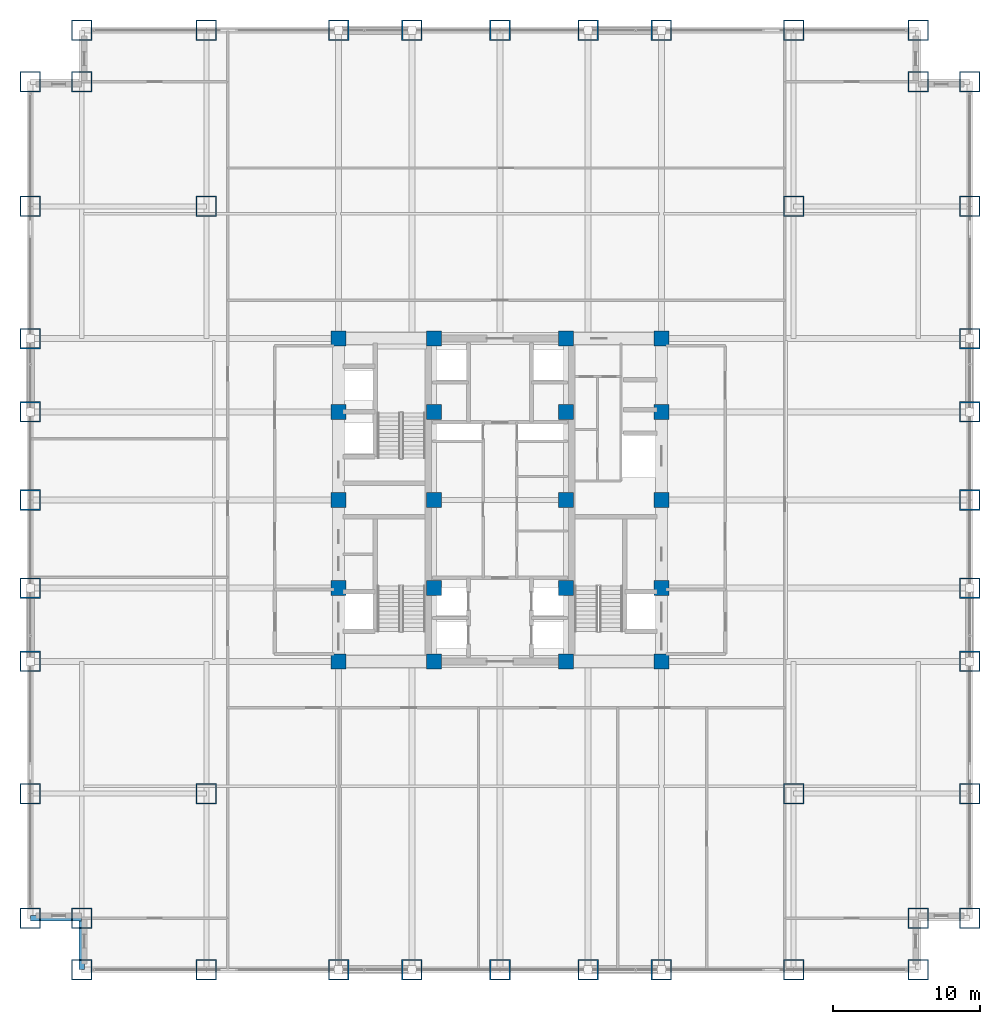
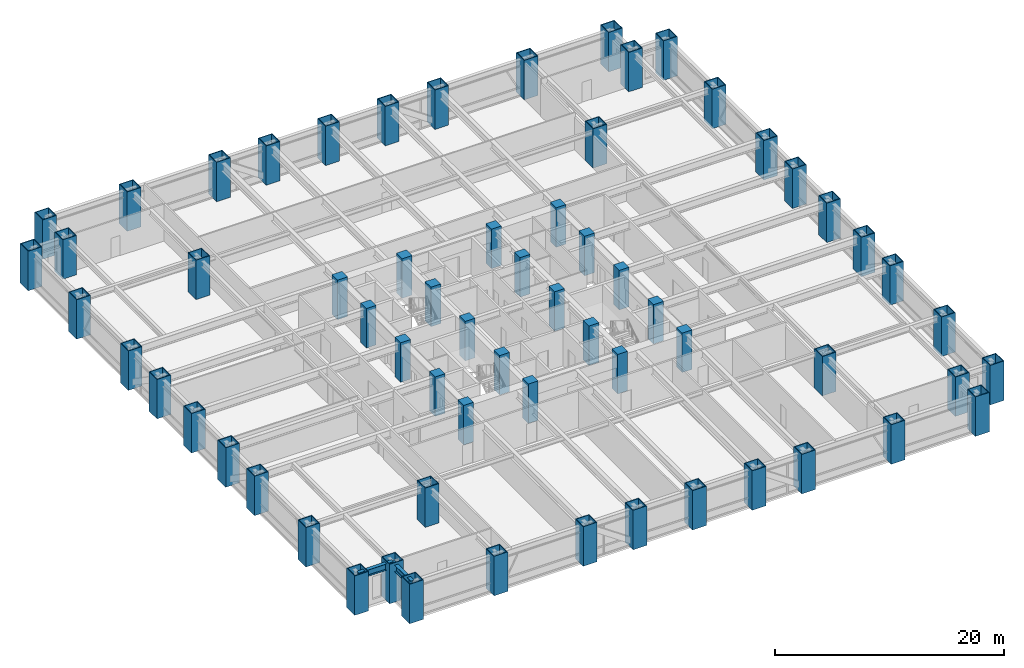
# One storey, part 1 of 27: 64 columns, 2 beams.
"""IFC4 building model written with IfcOpenShell, lengths in metres."""

import ifcopenshell
import ifcopenshell.guid

model = None  # the IFC model being written
_history = None  # IfcOwnerHistory: only IFC2X3 demands one
_inside = {}  # id of a spatial element -> (the spatial element, [elements in it])
_under = {}  # id of a project, library or spatial element -> (it, [spatial elements below it])
_declared = {}  # id of a project -> (the project, [libraries it declares])
_typed = {}  # id of a type object -> (the type object, [elements of that type])
_made_of = {}  # id of a material, layer set ... -> (it, [elements and type objects made of it])


def new_model(schema):
    """Start an empty IFC model of exactly this schema.

    Asked for "IFC4X3", IfcOpenShell would pick the latest addendum, in which some entities
    have other attributes; the version numbers below select the first issue.
    IFC2X3 requires an IfcOwnerHistory on every rooted entity: one is made here for all.
    """
    global model, _history
    if schema == "IFC4X3":
        model = ifcopenshell.file(schema_version=(4, 3, 0, 0))
    else:
        model = ifcopenshell.file(schema=schema)
    _inside.clear()
    _under.clear()
    _declared.clear()
    _typed.clear()
    _made_of.clear()
    _history = None
    if model.schema == "IFC2X3":
        org = make("IfcOrganization", Name="unknown")
        user = make(
            "IfcPersonAndOrganization",
            ThePerson=make("IfcPerson", FamilyName="unknown"),
            TheOrganization=org,
        )
        app = make(
            "IfcApplication",
            ApplicationDeveloper=org,
            Version="unknown",
            ApplicationFullName="unknown",
            ApplicationIdentifier="unknown",
        )
        _history = make(
            "IfcOwnerHistory",
            OwningUser=user,
            OwningApplication=app,
            ChangeAction="ADDED",
            CreationDate=0,
        )
    return model


def make(cls, **values):
    """One entity of the class cls with the attributes given. An attribute that is None is left unset."""
    return model.create_entity(
        cls, **{name: value for name, value in values.items() if value is not None}
    )


def rooted(cls, **values):
    """An entity with a GlobalId (a new one), such as an element, a storey or a relation."""
    return make(cls, GlobalId=ifcopenshell.guid.new(), OwnerHistory=_history, **values)


def si_unit(unit_type, name, prefix=None):
    """IfcSIUnit, for example si_unit("LENGTHUNIT", "METRE", prefix="MILLI")."""
    return make("IfcSIUnit", UnitType=unit_type, Prefix=prefix, Name=name)


def assignment(units):
    """IfcUnitAssignment: the units of a project."""
    return None if units is None else make("IfcUnitAssignment", Units=units)


def point(xyz):
    """IfcCartesianPoint."""
    return None if xyz is None else make("IfcCartesianPoint", Coordinates=xyz)


def direction(xyz):
    """IfcDirection."""
    return None if xyz is None else make("IfcDirection", DirectionRatios=xyz)


def frame(location, z_axis=None, x_axis=None):
    """IfcAxis2Placement3D, a coordinate frame: its origin and axes. An axis left out is left unset."""
    return make(
        "IfcAxis2Placement3D",
        Location=point(location),
        Axis=direction(z_axis),
        RefDirection=direction(x_axis),
    )


def frame_2d(location, x_axis=None):
    """IfcAxis2Placement2D, a coordinate frame in the plane: its origin and x axis."""
    return make(
        "IfcAxis2Placement2D", Location=point(location), RefDirection=direction(x_axis)
    )


def origin():
    """The frame at (0, 0, 0) with its axes left unset."""
    return frame((0.0, 0.0, 0.0))


def origin_2d():
    """The frame at (0, 0) in the plane with its x axis left unset."""
    return frame_2d((0.0, 0.0))


def place(relative_to, where):
    """IfcLocalPlacement: puts the frame where relative to a parent placement (None: the world)."""
    return make(
        "IfcLocalPlacement", PlacementRelTo=relative_to, RelativePlacement=where
    )


def context(
    kind, dimensions, precision=None, world=None, true_north=None, identifier=None
):
    """IfcGeometricRepresentationContext, for example the 3D "Model" context."""
    return make(
        "IfcGeometricRepresentationContext",
        ContextIdentifier=identifier,
        ContextType=kind,
        CoordinateSpaceDimension=dimensions,
        Precision=precision,
        WorldCoordinateSystem=world,
        TrueNorth=true_north,
    )


def subcontext(parent, identifier, kind, view, scale=None):
    """IfcGeometricRepresentationSubContext, for example "Body" below "Model"."""
    return make(
        "IfcGeometricRepresentationSubContext",
        ContextIdentifier=identifier,
        ContextType=kind,
        ParentContext=parent,
        TargetScale=scale,
        TargetView=view,
    )


def project(units=None, contexts=None):
    """IfcProject with its units and contexts."""
    return rooted(
        "IfcProject",
        Name="project",
        RepresentationContexts=contexts,
        UnitsInContext=assignment(units),
    )


def spatial(cls, under=None, at=None, **own):
    """A site, building, storey or space (cls), placed at a placement, below another one or the project."""
    s = rooted(cls, ObjectPlacement=at, **own)
    if under is not None:
        _under.setdefault(under.id(), (under, []))[1].append(s)
    return s


def profile(cls, at=None, kind="AREA", **sizes):
    """A parametric profile (cls). Its sizes go by their IFC names, for example OverallWidth=200.0."""
    return make(cls, ProfileType=kind, Position=at, **sizes)


def rectangle(**sizes):
    """IfcRectangleProfileDef."""
    return profile("IfcRectangleProfileDef", **sizes)


def hollow_rectangle(**sizes):
    """IfcRectangleHollowProfileDef."""
    return profile("IfcRectangleHollowProfileDef", **sizes)


def i_section(**sizes):
    """IfcIShapeProfileDef."""
    return profile("IfcIShapeProfileDef", **sizes)


def extrude(swept, where, along, depth):
    """IfcExtrudedAreaSolid: the profile swept, set in the frame where, extruded along a direction by depth."""
    return make(
        "IfcExtrudedAreaSolid",
        SweptArea=swept,
        Position=where,
        ExtrudedDirection=direction(along),
        Depth=depth,
    )


def shape(context_of_items, identifier, shape_type, items):
    """IfcShapeRepresentation: the items that make up one representation, for example the "Body"."""
    return make(
        "IfcShapeRepresentation",
        ContextOfItems=context_of_items,
        RepresentationIdentifier=identifier,
        RepresentationType=shape_type,
        Items=items,
    )


def source(mapping_origin, context_of_items, identifier, shape_type, items):
    """IfcRepresentationMap: a shape defined once, which mapped items show again and again."""
    return make(
        "IfcRepresentationMap",
        MappingOrigin=mapping_origin,
        MappedRepresentation=shape(context_of_items, identifier, shape_type, items),
    )


def transform(
    local_origin,
    x_axis=None,
    y_axis=None,
    z_axis=None,
    scale=None,
    scale2=None,
    scale3=None,
    uniform=True,
):
    """IfcCartesianTransformationOperator3D, or its non-uniform kind. x_axis, y_axis, z_axis: its Axis1, 2, 3."""
    if uniform:
        return make(
            "IfcCartesianTransformationOperator3D",
            Axis1=direction(x_axis),
            Axis2=direction(y_axis),
            LocalOrigin=point(local_origin),
            Scale=scale,
            Axis3=direction(z_axis),
        )
    return make(
        "IfcCartesianTransformationOperator3DnonUniform",
        Axis1=direction(x_axis),
        Axis2=direction(y_axis),
        LocalOrigin=point(local_origin),
        Scale=scale,
        Axis3=direction(z_axis),
        Scale2=scale2,
        Scale3=scale3,
    )


def mapped(mapping_source, mapping_target):
    """IfcMappedItem: shows the shape of a source again, moved by a transform."""
    return make(
        "IfcMappedItem", MappingSource=mapping_source, MappingTarget=mapping_target
    )


def material(Name=None, Category=None):
    """IfcMaterial."""
    return make("IfcMaterial", Name=Name, Category=Category)


def material_profile(
    of_material, cross_section, Name=None, Category=None, Priority=None
):
    """IfcMaterialProfile: a cross section and its material."""
    return make(
        "IfcMaterialProfile",
        Name=Name,
        Material=of_material,
        Profile=cross_section,
        Priority=Priority,
        Category=Category,
    )


def profile_set(profiles, Name=None, composite=None):
    """IfcMaterialProfileSet."""
    return make(
        "IfcMaterialProfileSet",
        Name=Name,
        MaterialProfiles=profiles,
        CompositeProfile=composite,
    )


def made_of(thing, what):
    """Note that an element or type object is made of a material, layer set ...; save() writes the relation."""
    if what is not None:
        _made_of.setdefault(what.id(), (what, []))[1].append(thing)
    return thing


def type_object(cls, material=None, **own):
    """A type object (cls), such as IfcWallType, which elements share."""
    return made_of(rooted(cls, **own), material)


def element(
    cls,
    number,
    at=None,
    inside=None,
    cuts=None,
    type_object=None,
    material=None,
    context=None,
    identifier="Body",
    shape_type=None,
    held_by="IfcProductDefinitionShape",
    body=None,
    shapes=None,
    **own,
):
    """One element of the class cls, such as IfcWall. Its Tag is "e" and its number.

    at: its placement. inside: the storey or other place that contains it. cuts: it is an
    opening in that element (IfcRelVoidsElement). A single representation is given by context,
    identifier, shape_type and body (its items); several are given by shapes. held_by: the class
    of the entity that holds the representations. save() writes the other relations.
    """
    e = rooted(cls, Tag="e%d" % number, ObjectPlacement=at, **own)
    if body is not None:
        shapes = [shape(context, identifier, shape_type, body)]
    if shapes is not None:
        e.Representation = make(held_by, Representations=shapes)
    if inside is not None:
        _inside.setdefault(inside.id(), (inside, []))[1].append(e)
    if cuts is not None:
        rooted(
            "IfcRelVoidsElement", RelatingBuildingElement=cuts, RelatedOpeningElement=e
        )
    if type_object is not None:
        _typed.setdefault(type_object.id(), (type_object, []))[1].append(e)
    return made_of(e, material)


def aggregate(whole, parts):
    """IfcRelAggregates: a whole, such as a stair, and the parts it consists of."""
    return rooted("IfcRelAggregates", RelatingObject=whole, RelatedObjects=parts)


def save(model, path):
    """Write the relations noted so far, then the file.

    IfcRelAggregates (storeys below a building ...), IfcRelContainedInSpatialStructure (elements
    in a storey), IfcRelDefinesByType, IfcRelAssociatesMaterial and IfcRelDeclares: one each for
    every whole, place, type object, material and project.
    """
    for whole, parts in _under.values():
        aggregate(whole, parts)
    for where, things in _inside.values():
        rooted(
            "IfcRelContainedInSpatialStructure",
            RelatedElements=things,
            RelatingStructure=where,
        )
    for kind, things in _typed.values():
        rooted("IfcRelDefinesByType", RelatedObjects=things, RelatingType=kind)
    for what, things in _made_of.values():
        rooted("IfcRelAssociatesMaterial", RelatedObjects=things, RelatingMaterial=what)
    for by, libraries in _declared.values():
        rooted("IfcRelDeclares", RelatingContext=by, RelatedDefinitions=libraries)
    model.write(path)


model = new_model("IFC4")

# Units and contexts
model_context = context("Model", 3, precision=1e-05, world=origin(), true_north=direction((0.0, 1.0)))
body_context = subcontext(model_context, "Body", "Model", "MODEL_VIEW")
ifc_project = project(units=[si_unit("LENGTHUNIT", "METRE"), si_unit("AREAUNIT", "SQUARE_METRE"), si_unit("VOLUMEUNIT", "CUBIC_METRE"), si_unit("PLANEANGLEUNIT", "RADIAN"), si_unit("MASSUNIT", "GRAM", prefix="KILO")], contexts=[model_context])

# Site, building, storey
site_placement = place(None, origin())
site = spatial("IfcSite", under=ifc_project, at=site_placement, CompositionType="ELEMENT")
building_placement = place(site_placement, origin())
building = spatial("IfcBuilding", under=site, at=building_placement, Name="Khorayat Bourse Tower", CompositionType="ELEMENT")
storey_placement = place(building_placement, frame((0.0, 0.0, 49.39990234375)))
storey = spatial("IfcBuildingStorey", under=building, at=storey_placement, Name="L10", CompositionType="ELEMENT", Elevation=49.39990234375)

# Columns
ifc_material_1 = material(Name="Steel EN 10025-4 S460M", Category="steel")
ifc_material_profile_1 = material_profile(ifc_material_1, hollow_rectangle(XDim=1.39990234375, YDim=1.39990234375, WallThickness=0.074951171875, at=origin_2d()), Name="BOX 1400x1400x75")
ifc_profile_set_1 = profile_set([ifc_material_profile_1], Name="Steel EN 10025-4 S460M")
column_type_1 = type_object("IfcColumnType", Name="COL-TUBE-1400", PredefinedType="COLUMN", material=ifc_profile_set_1)
shared_shape_1 = source(origin(), body_context, "Body", "SweptSolid", [
    extrude(hollow_rectangle(XDim=1.39990234375, YDim=1.39990234375, WallThickness=0.074951171875, at=origin_2d()), origin(), (0.0, 0.0, 1.0), 4.2001953125),
])
for number, where, z_axis, x_axis, name in (
    (1, (-32.0, -28.5, 0.0), (0.0, 0.0, 1.0), (1.0, 0.0, 0.0), "L10 Column 001"),
    (2, (-32.0, -20.0, 0.0), (0.0, 0.0, 1.0), (1.0, 0.0, 0.0), "L10 Column 002"),
    (3, (-32.0, -11.0, 0.0), (0.0, 0.0, 1.0), (1.0, 0.0, 0.0), "L10 Column 003"),
    (4, (-32.0, -6.0, 0.0), (0.0, 0.0, 1.0), (1.0, 0.0, 0.0), "L10 Column 004"),
    (5, (-32.0, 0.0, 0.0), (0.0, 0.0, 1.0), (1.0, 0.0, 0.0), "L10 Column 005"),
    (6, (-32.0, 6.0, 0.0), (0.0, 0.0, 1.0), (1.0, 0.0, 0.0), "L10 Column 006"),
    (7, (-32.0, 11.0, 0.0), (0.0, 0.0, 1.0), (1.0, 0.0, 0.0), "L10 Column 007"),
    (8, (-32.0, 20.0, 0.0), (0.0, 0.0, 1.0), (1.0, 0.0, 0.0), "L10 Column 008"),
    (9, (-32.0, 28.5, 0.0), (0.0, 0.0, 1.0), (1.0, 0.0, 0.0), "L10 Column 009"),
    (10, (-28.5, -32.0, 0.0), (0.0, 0.0, 1.0), (1.0, 0.0, 0.0), "L10 Column 010"),
    (11, (-28.5, -28.5, 0.0), (0.0, 0.0, 1.0), (1.0, 0.0, 0.0), "L10 Column 011"),
    (12, (-28.5, 28.5, 0.0), (0.0, 0.0, 1.0), (1.0, 0.0, 0.0), "L10 Column 012"),
    (13, (-28.5, 32.0, 0.0), (0.0, 0.0, 1.0), (1.0, 0.0, 0.0), "L10 Column 013"),
    (14, (-20.0, -32.0, 0.0), (0.0, 0.0, 1.0), (1.0, 0.0, 0.0), "L10 Column 014"),
    (15, (-20.0, -20.0, 0.0), (0.0, 0.0, 1.0), (1.0, 0.0, 0.0), "L10 Column 015"),
    (16, (-20.0, 20.0, 0.0), (0.0, 0.0, 1.0), (1.0, 0.0, 0.0), "L10 Column 016"),
    (17, (-20.0, 32.0, 0.0), (0.0, 0.0, 1.0), (1.0, 0.0, 0.0), "L10 Column 017"),
    (18, (-11.0, -32.0, 0.0), (0.0, 0.0, 1.0), (1.0, 0.0, 0.0), "L10 Column 018"),
    (19, (-11.0, 32.0, 0.0), (0.0, 0.0, 1.0), (1.0, 0.0, 0.0), "L10 Column 024"),
    (20, (-6.0, -32.0, 0.0), (0.0, 0.0, 1.0), (1.0, 0.0, 0.0), "L10 Column 025"),
    (21, (-6.0, 32.0, 0.0), (0.0, 0.0, 1.0), (1.0, 0.0, 0.0), "L10 Column 026"),
    (22, (0.0, -32.0, 0.0), (0.0, 0.0, 1.0), (1.0, 0.0, 0.0), "L10 Column 032"),
    (23, (0.0, 32.0, 0.0), (0.0, 0.0, 1.0), (1.0, 0.0, 0.0), "L10 Column 033"),
    (24, (6.0, -32.0, 0.0), (0.0, 0.0, 1.0), (1.0, 0.0, 0.0), "L10 Column 039"),
    (25, (6.0, 32.0, 0.0), (0.0, 0.0, 1.0), (1.0, 0.0, 0.0), "L10 Column 040"),
    (26, (11.0, -32.0, 0.0), (0.0, 0.0, 1.0), (1.0, 0.0, 0.0), "L10 Column 041"),
    (27, (11.0, 32.0, 0.0), (0.0, 0.0, 1.0), (1.0, 0.0, 0.0), "L10 Column 047"),
    (28, (20.0, -32.0, 0.0), (0.0, 0.0, 1.0), (1.0, 0.0, 0.0), "L10 Column 048"),
    (29, (20.0, -20.0, 0.0), (0.0, 0.0, 1.0), (1.0, 0.0, 0.0), "L10 Column 049"),
    (30, (20.0, 20.0, 0.0), (0.0, 0.0, 1.0), (1.0, 0.0, 0.0), "L10 Column 050"),
    (31, (20.0, 32.0, 0.0), (0.0, 0.0, 1.0), (1.0, 0.0, 0.0), "L10 Column 051"),
    (32, (28.5, -32.0, 0.0), (0.0, 0.0, 1.0), (1.0, 0.0, 0.0), "L10 Column 052"),
    (33, (28.5, -28.5, 0.0), (0.0, 0.0, 1.0), (1.0, 0.0, 0.0), "L10 Column 053"),
    (34, (28.5, 28.5, 0.0), (0.0, 0.0, 1.0), (1.0, 0.0, 0.0), "L10 Column 054"),
    (35, (28.5, 32.0, 0.0), (0.0, 0.0, 1.0), (1.0, 0.0, 0.0), "L10 Column 055"),
    (36, (32.0, -28.5, 0.0), (0.0, 0.0, 1.0), (1.0, 0.0, 0.0), "L10 Column 056"),
    (37, (32.0, -20.0, 0.0), (0.0, 0.0, 1.0), (1.0, 0.0, 0.0), "L10 Column 057"),
    (38, (32.0, -11.0, 0.0), (0.0, 0.0, 1.0), (1.0, 0.0, 0.0), "L10 Column 058"),
    (39, (32.0, -6.0, 0.0), (0.0, 0.0, 1.0), (1.0, 0.0, 0.0), "L10 Column 059"),
    (40, (32.0, 0.0, 0.0), (0.0, 0.0, 1.0), (1.0, 0.0, 0.0), "L10 Column 060"),
    (41, (32.0, 6.0, 0.0), (0.0, 0.0, 1.0), (1.0, 0.0, 0.0), "L10 Column 061"),
    (42, (32.0, 11.0, 0.0), (0.0, 0.0, 1.0), (1.0, 0.0, 0.0), "L10 Column 062"),
    (43, (32.0, 20.0, 0.0), (0.0, 0.0, 1.0), (1.0, 0.0, 0.0), "L10 Column 063"),
    (44, (32.0, 28.5, 0.0), (0.0, 0.0, 1.0), (1.0, 0.0, 0.0), "L10 Column 064"),
):
    element("IfcColumn", number, at=place(storey_placement, frame(where, z_axis=z_axis, x_axis=x_axis)), inside=storey, type_object=column_type_1, Name=name, PredefinedType="COLUMN", context=body_context, shape_type="MappedRepresentation", body=[
        mapped(shared_shape_1, transform((0.0, 0.0, 0.0), scale=1.0)),
    ])
ifc_material_2 = material(Name="Concrete C72/90", Category="concrete")
ifc_material_profile_2 = material_profile(ifc_material_2, rectangle(XDim=1.0, YDim=1.0, at=origin_2d()), Name="RC 1000x1000")
ifc_profile_set_2 = profile_set([ifc_material_profile_2], Name="Concrete C72/90")
column_type_2 = type_object("IfcColumnType", Name="COL-CORE-1000", PredefinedType="COLUMN", material=ifc_profile_set_2)
shared_shape_2 = source(origin(), body_context, "Body", "SweptSolid", [
    extrude(rectangle(XDim=1.0, YDim=1.0, at=origin_2d()), origin(), (0.0, 0.0, 1.0), 4.2001953125),
])
for number, where, z_axis, x_axis, name in (
    (45, (-11.0, -11.0, 0.0), (0.0, 0.0, 1.0), (1.0, 0.0, 0.0), "L10 Column 019"),
    (46, (-11.0, -6.0, 0.0), (0.0, 0.0, 1.0), (1.0, 0.0, 0.0), "L10 Column 020"),
    (47, (-11.0, 0.0, 0.0), (0.0, 0.0, 1.0), (1.0, 0.0, 0.0), "L10 Column 021"),
    (48, (-11.0, 6.0, 0.0), (0.0, 0.0, 1.0), (1.0, 0.0, 0.0), "L10 Column 022"),
    (49, (-11.0, 11.0, 0.0), (0.0, 0.0, 1.0), (1.0, 0.0, 0.0), "L10 Column 023"),
    (50, (-4.5, -11.0, 0.0), (0.0, 0.0, 1.0), (1.0, 0.0, 0.0), "L10 Column 027"),
    (51, (-4.5, -6.0, 0.0), (0.0, 0.0, 1.0), (1.0, 0.0, 0.0), "L10 Column 028"),
    (52, (-4.5, 0.0, 0.0), (0.0, 0.0, 1.0), (1.0, 0.0, 0.0), "L10 Column 029"),
    (53, (-4.5, 6.0, 0.0), (0.0, 0.0, 1.0), (1.0, 0.0, 0.0), "L10 Column 030"),
    (54, (-4.5, 11.0, 0.0), (0.0, 0.0, 1.0), (1.0, 0.0, 0.0), "L10 Column 031"),
    (55, (4.5, -11.0, 0.0), (0.0, 0.0, 1.0), (1.0, 0.0, 0.0), "L10 Column 034"),
    (56, (4.5, -6.0, 0.0), (0.0, 0.0, 1.0), (1.0, 0.0, 0.0), "L10 Column 035"),
    (57, (4.5, 0.0, 0.0), (0.0, 0.0, 1.0), (1.0, 0.0, 0.0), "L10 Column 036"),
    (58, (4.5, 6.0, 0.0), (0.0, 0.0, 1.0), (1.0, 0.0, 0.0), "L10 Column 037"),
    (59, (4.5, 11.0, 0.0), (0.0, 0.0, 1.0), (1.0, 0.0, 0.0), "L10 Column 038"),
    (60, (11.0, -11.0, 0.0), (0.0, 0.0, 1.0), (1.0, 0.0, 0.0), "L10 Column 042"),
    (61, (11.0, -6.0, 0.0), (0.0, 0.0, 1.0), (1.0, 0.0, 0.0), "L10 Column 043"),
    (62, (11.0, 0.0, 0.0), (0.0, 0.0, 1.0), (1.0, 0.0, 0.0), "L10 Column 044"),
    (63, (11.0, 6.0, 0.0), (0.0, 0.0, 1.0), (1.0, 0.0, 0.0), "L10 Column 045"),
    (64, (11.0, 11.0, 0.0), (0.0, 0.0, 1.0), (1.0, 0.0, 0.0), "L10 Column 046"),
):
    element("IfcColumn", number, at=place(storey_placement, frame(where, z_axis=z_axis, x_axis=x_axis)), inside=storey, type_object=column_type_2, Name=name, PredefinedType="COLUMN", context=body_context, shape_type="MappedRepresentation", body=[
        mapped(shared_shape_2, transform((0.0, 0.0, 0.0), scale=1.0)),
    ])

# Beams
ifc_material_3 = material(Name="Steel ASTM A992 Grade 50", Category="steel")
ifc_material_profile_3 = material_profile(ifc_material_3, i_section(OverallWidth=0.35498046875, OverallDepth=0.695068359375, WebThickness=0.015380859375, FlangeThickness=0.02490234375, FilletRadius=0.01806640625, at=origin_2d()), Name="W690X217")
ifc_profile_set_3 = profile_set([ifc_material_profile_3], Name="Steel ASTM A992 Grade 50")
beam_type = type_object("IfcBeamType", Name="BM-SPAN-690", PredefinedType="SPANDREL", material=ifc_profile_set_3)
shared_shape_3 = source(origin(), body_context, "Body", "SweptSolid", [
    extrude(i_section(OverallWidth=0.35498046875, OverallDepth=0.695068359375, WebThickness=0.015380859375, FlangeThickness=0.02490234375, FilletRadius=0.01806640625, at=origin_2d()), origin(), (0.0, 0.0, 1.0), 3.5),
])
for number, where, z_axis, x_axis, name in (
    (65, (-32.0, -28.5, 3.592529296875), (1.0, 0.0, 0.0), (0.0, 1.0, 0.0), "L10 BM-SPAN-690 BM-L10-SPN-062"),
    (66, (-28.5, -32.0, 3.592529296875), (0.0, 1.0, 0.0), (-1.0, 0.0, 0.0), "L10 BM-SPAN-690 BM-L10-SPN-063"),
):
    element("IfcBeam", number, at=place(storey_placement, frame(where, z_axis=z_axis, x_axis=x_axis)), inside=storey, type_object=beam_type, Name=name, PredefinedType="SPANDREL", context=body_context, shape_type="MappedRepresentation", body=[
        mapped(shared_shape_3, transform((0.0, 0.0, 0.0), scale=1.0)),
    ])

save(model, "model.ifc")
